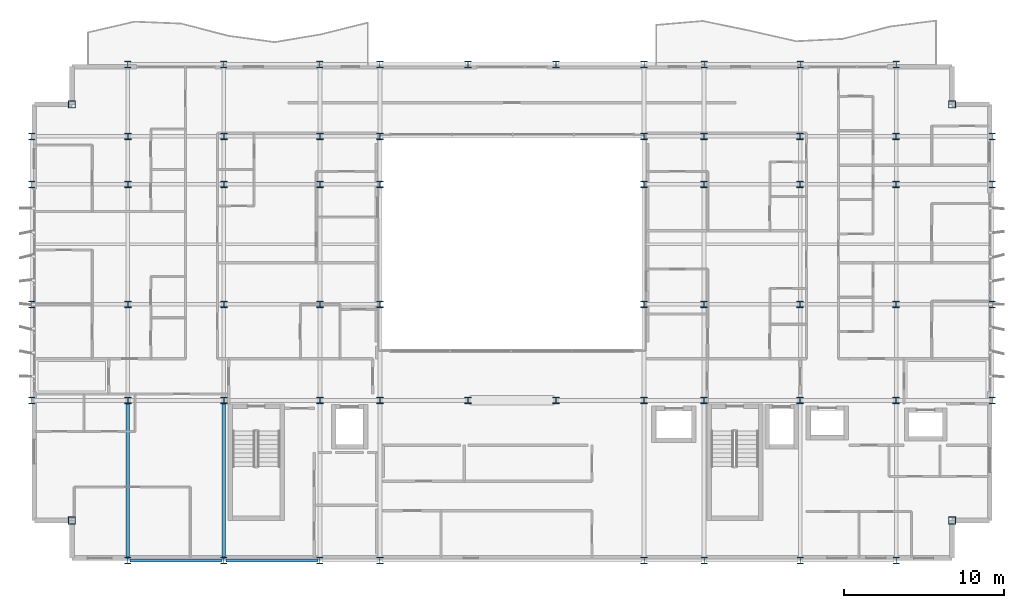
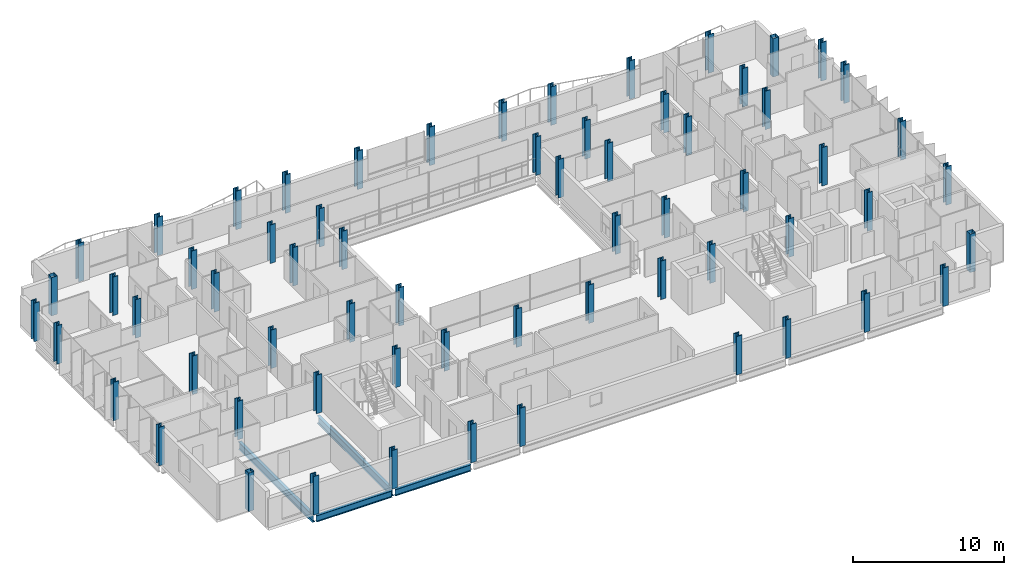
# One storey, part 1 of 38: 64 columns, 4 beams.
"""IFC4 building model written with IfcOpenShell, lengths in metres."""

from ifc_helpers import new_model, si_unit, direction, frame, origin, origin_2d, place, context, subcontext, project, spatial, hollow_rectangle, i_section, extrude, material, material_profile, profile_set, type_object, element, save


model = new_model("IFC4")

# Units and contexts
model_context = context("Model", 3, precision=1e-05, world=origin(), true_north=direction((0.0, 1.0)))
body_context = subcontext(model_context, "Body", "Model", "MODEL_VIEW")
ifc_project = project(units=[si_unit("LENGTHUNIT", "METRE"), si_unit("AREAUNIT", "SQUARE_METRE"), si_unit("VOLUMEUNIT", "CUBIC_METRE"), si_unit("PLANEANGLEUNIT", "RADIAN"), si_unit("MASSUNIT", "GRAM", prefix="KILO")], contexts=[model_context])

# Site, building, storey
site_placement = place(None, origin())
site = spatial("IfcSite", under=ifc_project, at=site_placement, CompositionType="ELEMENT")
building_placement = place(site_placement, origin())
building = spatial("IfcBuilding", under=site, at=building_placement, Name="Brevholm Reach", CompositionType="ELEMENT")
storey_placement = place(building_placement, frame((0.0, 0.0, 122.10009765625)))
storey = spatial("IfcBuildingStorey", under=building, at=storey_placement, Name="L36", CompositionType="ELEMENT", Elevation=122.10009765625)

# Columns
ifc_material_1 = material(Name="Structural Steel S460NH", Category="steel")
ifc_material_profile_1 = material_profile(ifc_material_1, hollow_rectangle(XDim=0.449951171875, YDim=0.449951171875, WallThickness=0.02490234375, InnerFilletRadius=0.011962890625, OuterFilletRadius=0.02392578125, at=origin_2d()), Name="SHS 450x450x25")
ifc_profile_set_1 = profile_set([ifc_material_profile_1], Name="Structural Steel S460NH")
column_type_1 = type_object("IfcColumnType", Name="COL-SHS1", PredefinedType="COLUMN", material=ifc_profile_set_1)
for number, where, z_axis, x_axis, name in (
    (1, (2.5, 2.5, 0.0), (0.0, 0.0, 1.0), (1.0, 0.0, 0.0), "L36 Column 05"),
    (2, (2.5, 28.5, 0.0), (0.0, 0.0, 1.0), (1.0, 0.0, 0.0), "L36 Column 06"),
    (3, (57.5, 2.5, 0.0), (0.0, 0.0, 1.0), (1.0, 0.0, 0.0), "L36 Column 59"),
    (4, (57.5, 28.5, 0.0), (0.0, 0.0, 1.0), (1.0, 0.0, 0.0), "L36 Column 60"),
):
    element("IfcColumn", number, at=place(storey_placement, frame(where, z_axis=z_axis, x_axis=x_axis)), inside=storey, type_object=column_type_1, Name=name, PredefinedType="COLUMN", context=body_context, shape_type="SweptSolid", body=[
        extrude(hollow_rectangle(XDim=0.449951171875, YDim=0.449951171875, WallThickness=0.02490234375, InnerFilletRadius=0.011962890625, OuterFilletRadius=0.02392578125, at=origin_2d()), origin(), (0.0, 0.0, 1.0), 3.099853515625),
    ])
ifc_material_2 = material(Name="Structural Steel S460ML", Category="steel")
ifc_material_profile_2 = material_profile(ifc_material_2, i_section(OverallWidth=0.412109375, OverallDepth=0.4365234375, WebThickness=0.035888671875, FlangeThickness=0.05810546875, FilletRadius=0.01513671875, at=origin_2d()), Name="UKC 356x406x467")
ifc_profile_set_2 = profile_set([ifc_material_profile_2], Name="Structural Steel S460ML")
column_type_2 = type_object("IfcColumnType", Name="COL-UC3", PredefinedType="COLUMN", material=ifc_profile_set_2)
for number, where, z_axis, x_axis, name in (
    (5, (0.0, 10.0, 0.0), (0.0, 0.0, 1.0), (1.0, 0.0, 0.0), "L36 Column 01"),
    (6, (0.0, 16.0, 0.0), (0.0, 0.0, 1.0), (1.0, 0.0, 0.0), "L36 Column 02"),
    (7, (0.0, 23.5, 0.0), (0.0, 0.0, 1.0), (1.0, 0.0, 0.0), "L36 Column 03"),
    (8, (0.0, 26.5, 0.0), (0.0, 0.0, 1.0), (1.0, 0.0, 0.0), "L36 Column 04"),
    (9, (6.0, 0.0, 0.0), (0.0, 0.0, 1.0), (1.0, 0.0, 0.0), "L36 Column 07"),
    (10, (6.0, 31.0, 0.0), (0.0, 0.0, 1.0), (1.0, 0.0, 0.0), "L36 Column 12"),
    (11, (12.0, 0.0, 0.0), (0.0, 0.0, 1.0), (1.0, 0.0, 0.0), "L36 Column 13"),
    (12, (12.0, 31.0, 0.0), (0.0, 0.0, 1.0), (1.0, 0.0, 0.0), "L36 Column 18"),
    (13, (18.0, 0.0, 0.0), (0.0, 0.0, 1.0), (1.0, 0.0, 0.0), "L36 Column 19"),
    (14, (18.0, 31.0, 0.0), (0.0, 0.0, 1.0), (1.0, 0.0, 0.0), "L36 Column 24"),
    (15, (21.75, 0.0, 0.0), (0.0, 0.0, 1.0), (1.0, 0.0, 0.0), "L36 Column 25"),
    (16, (21.75, 31.0, 0.0), (0.0, 0.0, 1.0), (1.0, 0.0, 0.0), "L36 Column 30"),
    (17, (27.25, 31.0, 0.0), (0.0, 0.0, 1.0), (1.0, 0.0, 0.0), "L36 Column 32"),
    (18, (32.75, 31.0, 0.0), (0.0, 0.0, 1.0), (1.0, 0.0, 0.0), "L36 Column 34"),
    (19, (38.25, 0.0, 0.0), (0.0, 0.0, 1.0), (1.0, 0.0, 0.0), "L36 Column 35"),
    (20, (38.25, 31.0, 0.0), (0.0, 0.0, 1.0), (1.0, 0.0, 0.0), "L36 Column 40"),
    (21, (42.0, 0.0, 0.0), (0.0, 0.0, 1.0), (1.0, 0.0, 0.0), "L36 Column 41"),
    (22, (42.0, 31.0, 0.0), (0.0, 0.0, 1.0), (1.0, 0.0, 0.0), "L36 Column 46"),
    (23, (48.0, 0.0, 0.0), (0.0, 0.0, 1.0), (1.0, 0.0, 0.0), "L36 Column 47"),
    (24, (48.0, 31.0, 0.0), (0.0, 0.0, 1.0), (1.0, 0.0, 0.0), "L36 Column 52"),
    (25, (54.0, 0.0, 0.0), (0.0, 0.0, 1.0), (1.0, 0.0, 0.0), "L36 Column 53"),
    (26, (54.0, 31.0, 0.0), (0.0, 0.0, 1.0), (1.0, 0.0, 0.0), "L36 Column 58"),
    (27, (60.0, 10.0, 0.0), (0.0, 0.0, 1.0), (1.0, 0.0, 0.0), "L36 Column 61"),
    (28, (60.0, 16.0, 0.0), (0.0, 0.0, 1.0), (1.0, 0.0, 0.0), "L36 Column 62"),
    (29, (60.0, 23.5, 0.0), (0.0, 0.0, 1.0), (1.0, 0.0, 0.0), "L36 Column 63"),
    (30, (60.0, 26.5, 0.0), (0.0, 0.0, 1.0), (1.0, 0.0, 0.0), "L36 Column 64"),
):
    element("IfcColumn", number, at=place(storey_placement, frame(where, z_axis=z_axis, x_axis=x_axis)), inside=storey, type_object=column_type_2, Name=name, PredefinedType="COLUMN", context=body_context, shape_type="SweptSolid", body=[
        extrude(i_section(OverallWidth=0.412109375, OverallDepth=0.4365234375, WebThickness=0.035888671875, FlangeThickness=0.05810546875, FilletRadius=0.01513671875, at=origin_2d()), origin(), (0.0, 0.0, 1.0), 3.099853515625),
    ])
ifc_material_3 = material(Name="Structural Steel S355J2", Category="steel")
ifc_material_profile_3 = material_profile(ifc_material_3, i_section(OverallWidth=0.406982421875, OverallDepth=0.4189453125, WebThickness=0.030517578125, FlangeThickness=0.04931640625, FilletRadius=0.01513671875, at=origin_2d()), Name="UKC 356x406x393")
ifc_profile_set_3 = profile_set([ifc_material_profile_3], Name="Structural Steel S355J2")
column_type_3 = type_object("IfcColumnType", Name="COL-UC4", PredefinedType="COLUMN", material=ifc_profile_set_3)
for number, where, z_axis, x_axis, name in (
    (31, (6.0, 10.0, 0.0), (0.0, 0.0, 1.0), (1.0, 0.0, 0.0), "L36 Column 08"),
    (32, (6.0, 16.0, 0.0), (0.0, 0.0, 1.0), (1.0, 0.0, 0.0), "L36 Column 09"),
    (33, (6.0, 23.5, 0.0), (0.0, 0.0, 1.0), (1.0, 0.0, 0.0), "L36 Column 10"),
    (34, (6.0, 26.5, 0.0), (0.0, 0.0, 1.0), (1.0, 0.0, 0.0), "L36 Column 11"),
    (35, (12.0, 10.0, 0.0), (0.0, 0.0, 1.0), (1.0, 0.0, 0.0), "L36 Column 14"),
    (36, (12.0, 16.0, 0.0), (0.0, 0.0, 1.0), (1.0, 0.0, 0.0), "L36 Column 15"),
    (37, (12.0, 23.5, 0.0), (0.0, 0.0, 1.0), (1.0, 0.0, 0.0), "L36 Column 16"),
    (38, (12.0, 26.5, 0.0), (0.0, 0.0, 1.0), (1.0, 0.0, 0.0), "L36 Column 17"),
    (39, (18.0, 10.0, 0.0), (0.0, 0.0, 1.0), (1.0, 0.0, 0.0), "L36 Column 20"),
    (40, (18.0, 16.0, 0.0), (0.0, 0.0, 1.0), (1.0, 0.0, 0.0), "L36 Column 21"),
    (41, (18.0, 23.5, 0.0), (0.0, 0.0, 1.0), (1.0, 0.0, 0.0), "L36 Column 22"),
    (42, (18.0, 26.5, 0.0), (0.0, 0.0, 1.0), (1.0, 0.0, 0.0), "L36 Column 23"),
    (43, (21.75, 10.0, 0.0), (0.0, 0.0, 1.0), (1.0, 0.0, 0.0), "L36 Column 26"),
    (44, (21.75, 16.0, 0.0), (0.0, 0.0, 1.0), (1.0, 0.0, 0.0), "L36 Column 27"),
    (45, (21.75, 23.5, 0.0), (0.0, 0.0, 1.0), (1.0, 0.0, 0.0), "L36 Column 28"),
    (46, (21.75, 26.5, 0.0), (0.0, 0.0, 1.0), (1.0, 0.0, 0.0), "L36 Column 29"),
    (47, (27.25, 10.0, 0.0), (0.0, 0.0, 1.0), (1.0, 0.0, 0.0), "L36 Column 31"),
    (48, (32.75, 10.0, 0.0), (0.0, 0.0, 1.0), (1.0, 0.0, 0.0), "L36 Column 33"),
    (49, (38.25, 10.0, 0.0), (0.0, 0.0, 1.0), (1.0, 0.0, 0.0), "L36 Column 36"),
    (50, (38.25, 16.0, 0.0), (0.0, 0.0, 1.0), (1.0, 0.0, 0.0), "L36 Column 37"),
    (51, (38.25, 23.5, 0.0), (0.0, 0.0, 1.0), (1.0, 0.0, 0.0), "L36 Column 38"),
    (52, (38.25, 26.5, 0.0), (0.0, 0.0, 1.0), (1.0, 0.0, 0.0), "L36 Column 39"),
    (53, (42.0, 10.0, 0.0), (0.0, 0.0, 1.0), (1.0, 0.0, 0.0), "L36 Column 42"),
    (54, (42.0, 16.0, 0.0), (0.0, 0.0, 1.0), (1.0, 0.0, 0.0), "L36 Column 43"),
    (55, (42.0, 23.5, 0.0), (0.0, 0.0, 1.0), (1.0, 0.0, 0.0), "L36 Column 44"),
    (56, (42.0, 26.5, 0.0), (0.0, 0.0, 1.0), (1.0, 0.0, 0.0), "L36 Column 45"),
    (57, (48.0, 10.0, 0.0), (0.0, 0.0, 1.0), (1.0, 0.0, 0.0), "L36 Column 48"),
    (58, (48.0, 16.0, 0.0), (0.0, 0.0, 1.0), (1.0, 0.0, 0.0), "L36 Column 49"),
    (59, (48.0, 23.5, 0.0), (0.0, 0.0, 1.0), (1.0, 0.0, 0.0), "L36 Column 50"),
    (60, (48.0, 26.5, 0.0), (0.0, 0.0, 1.0), (1.0, 0.0, 0.0), "L36 Column 51"),
    (61, (54.0, 10.0, 0.0), (0.0, 0.0, 1.0), (1.0, 0.0, 0.0), "L36 Column 54"),
    (62, (54.0, 16.0, 0.0), (0.0, 0.0, 1.0), (1.0, 0.0, 0.0), "L36 Column 55"),
    (63, (54.0, 23.5, 0.0), (0.0, 0.0, 1.0), (1.0, 0.0, 0.0), "L36 Column 56"),
    (64, (54.0, 26.5, 0.0), (0.0, 0.0, 1.0), (1.0, 0.0, 0.0), "L36 Column 57"),
):
    element("IfcColumn", number, at=place(storey_placement, frame(where, z_axis=z_axis, x_axis=x_axis)), inside=storey, type_object=column_type_3, Name=name, PredefinedType="COLUMN", context=body_context, shape_type="SweptSolid", body=[
        extrude(i_section(OverallWidth=0.406982421875, OverallDepth=0.4189453125, WebThickness=0.030517578125, FlangeThickness=0.04931640625, FilletRadius=0.01513671875, at=origin_2d()), origin(), (0.0, 0.0, 1.0), 3.099853515625),
    ])

# Beams
ifc_material_4 = material(Name="Structural Steel S355J2", Category="steel")
ifc_material_profile_4 = material_profile(ifc_material_4, i_section(OverallWidth=0.209228515625, OverallDepth=0.533203125, WebThickness=0.010009765625, FlangeThickness=0.015625, FilletRadius=0.0126953125, at=origin_2d()), Name="UKB 533x210x92")
ifc_profile_set_4 = profile_set([ifc_material_profile_4], Name="Structural Steel S355J2")
beam_type_1 = type_object("IfcBeamType", Name="BM-SP533", PredefinedType="SPANDREL", material=ifc_profile_set_4)
for number, where, z_axis, x_axis, name in (
    (65, (6.1201171875, 0.0, -0.486572265625), (1.0, 0.0, 0.0), (0.0, 1.0, 0.0), "L36 SP-02 Framing Beam"),
    (66, (12.1201171875, 0.0, -0.486572265625), (1.0, 0.0, 0.0), (0.0, 1.0, 0.0), "L36 SP-02 Framing Beam"),
):
    element("IfcBeam", number, at=place(storey_placement, frame(where, z_axis=z_axis, x_axis=x_axis)), inside=storey, type_object=beam_type_1, Name=name, PredefinedType="SPANDREL", context=body_context, shape_type="SweptSolid", body=[
        extrude(i_section(OverallWidth=0.209228515625, OverallDepth=0.533203125, WebThickness=0.010009765625, FlangeThickness=0.015625, FilletRadius=0.0126953125, at=origin_2d()), origin(), (0.0, 0.0, 1.0), 5.759765625),
    ])
ifc_material_5 = material(Name="Structural Steel S355J2", Category="steel")
ifc_material_profile_5 = material_profile(ifc_material_5, i_section(OverallWidth=0.22900390625, OverallDepth=0.6123046875, WebThickness=0.011962890625, FlangeThickness=0.01953125, FilletRadius=0.0126953125, at=origin_2d()), Name="UKB 610x229x125")
ifc_profile_set_5 = profile_set([ifc_material_profile_5], Name="Structural Steel S355J2")
beam_type_2 = type_object("IfcBeamType", Name="BM-SP610", PredefinedType="SPANDREL", material=ifc_profile_set_5)
for number, where, z_axis, x_axis, name in (
    (67, (6.0, 0.1201171875, -0.526123046875), (0.0, 1.0, 0.0), (-1.0, 0.0, 0.0), "L36 SP-01 Framing Beam"),
    (68, (12.0, 0.1201171875, -0.526123046875), (0.0, 1.0, 0.0), (-1.0, 0.0, 0.0), "L36 SP-01 Framing Beam"),
):
    element("IfcBeam", number, at=place(storey_placement, frame(where, z_axis=z_axis, x_axis=x_axis)), inside=storey, type_object=beam_type_2, Name=name, PredefinedType="SPANDREL", context=body_context, shape_type="SweptSolid", body=[
        extrude(i_section(OverallWidth=0.22900390625, OverallDepth=0.6123046875, WebThickness=0.011962890625, FlangeThickness=0.01953125, FilletRadius=0.0126953125, at=origin_2d()), origin(), (0.0, 0.0, 1.0), 9.759765625),
    ])

save(model, "model.ifc")
